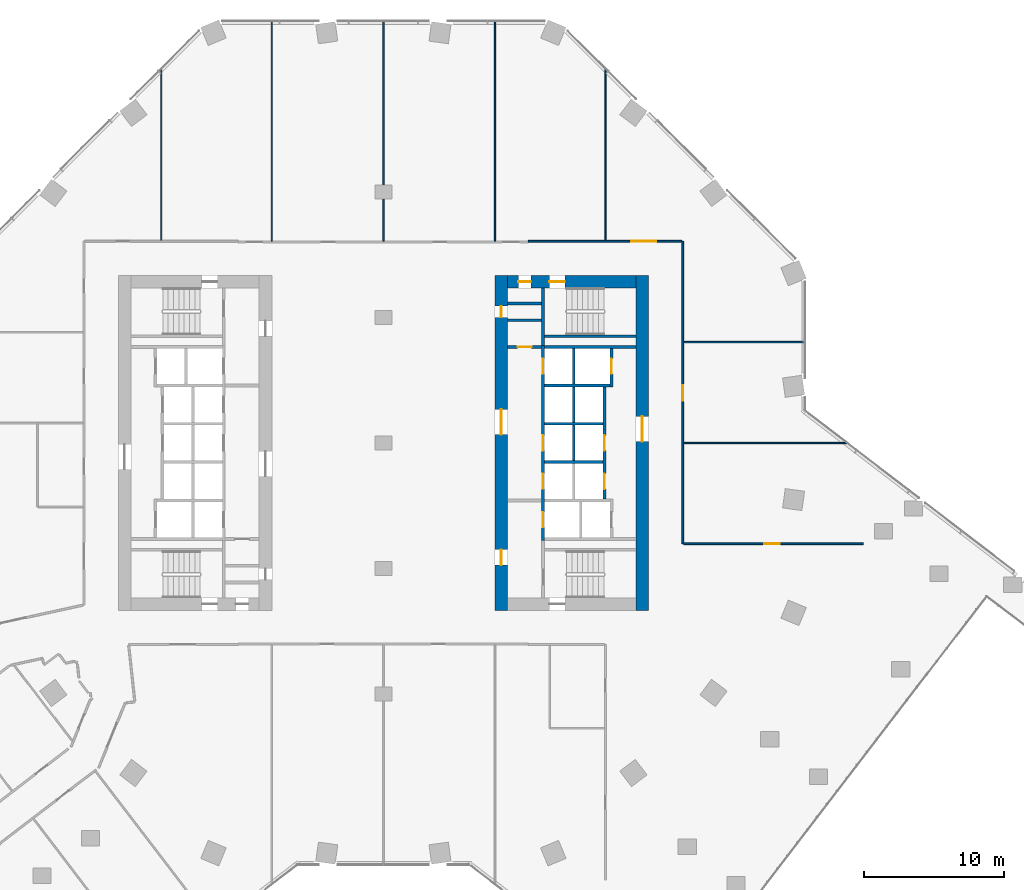
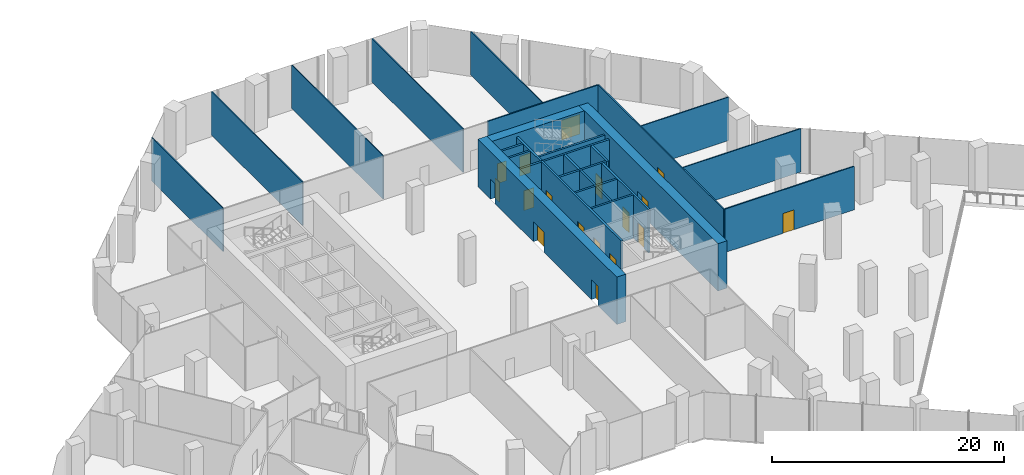
# One storey, part 25 of 29: 28 walls, 17 doors, 17 openings.
"""IFC4 building model written with IfcOpenShell, lengths in metres."""

import ifcopenshell
import ifcopenshell.guid

model = None  # the IFC model being written
_history = None  # IfcOwnerHistory: only IFC2X3 demands one
_inside = {}  # id of a spatial element -> (the spatial element, [elements in it])
_under = {}  # id of a project, library or spatial element -> (it, [spatial elements below it])
_declared = {}  # id of a project -> (the project, [libraries it declares])
_typed = {}  # id of a type object -> (the type object, [elements of that type])
_made_of = {}  # id of a material, layer set ... -> (it, [elements and type objects made of it])


def new_model(schema):
    """Start an empty IFC model of exactly this schema.

    Asked for "IFC4X3", IfcOpenShell would pick the latest addendum, in which some entities
    have other attributes; the version numbers below select the first issue.
    IFC2X3 requires an IfcOwnerHistory on every rooted entity: one is made here for all.
    """
    global model, _history
    if schema == "IFC4X3":
        model = ifcopenshell.file(schema_version=(4, 3, 0, 0))
    else:
        model = ifcopenshell.file(schema=schema)
    _inside.clear()
    _under.clear()
    _declared.clear()
    _typed.clear()
    _made_of.clear()
    _history = None
    if model.schema == "IFC2X3":
        org = make("IfcOrganization", Name="unknown")
        user = make(
            "IfcPersonAndOrganization",
            ThePerson=make("IfcPerson", FamilyName="unknown"),
            TheOrganization=org,
        )
        app = make(
            "IfcApplication",
            ApplicationDeveloper=org,
            Version="unknown",
            ApplicationFullName="unknown",
            ApplicationIdentifier="unknown",
        )
        _history = make(
            "IfcOwnerHistory",
            OwningUser=user,
            OwningApplication=app,
            ChangeAction="ADDED",
            CreationDate=0,
        )
    return model


def make(cls, **values):
    """One entity of the class cls with the attributes given. An attribute that is None is left unset."""
    return model.create_entity(
        cls, **{name: value for name, value in values.items() if value is not None}
    )


def rooted(cls, **values):
    """An entity with a GlobalId (a new one), such as an element, a storey or a relation."""
    return make(cls, GlobalId=ifcopenshell.guid.new(), OwnerHistory=_history, **values)


def si_unit(unit_type, name, prefix=None):
    """IfcSIUnit, for example si_unit("LENGTHUNIT", "METRE", prefix="MILLI")."""
    return make("IfcSIUnit", UnitType=unit_type, Prefix=prefix, Name=name)


def assignment(units):
    """IfcUnitAssignment: the units of a project."""
    return None if units is None else make("IfcUnitAssignment", Units=units)


def point(xyz):
    """IfcCartesianPoint."""
    return None if xyz is None else make("IfcCartesianPoint", Coordinates=xyz)


def direction(xyz):
    """IfcDirection."""
    return None if xyz is None else make("IfcDirection", DirectionRatios=xyz)


def frame(location, z_axis=None, x_axis=None):
    """IfcAxis2Placement3D, a coordinate frame: its origin and axes. An axis left out is left unset."""
    return make(
        "IfcAxis2Placement3D",
        Location=point(location),
        Axis=direction(z_axis),
        RefDirection=direction(x_axis),
    )


def frame_2d(location, x_axis=None):
    """IfcAxis2Placement2D, a coordinate frame in the plane: its origin and x axis."""
    return make(
        "IfcAxis2Placement2D", Location=point(location), RefDirection=direction(x_axis)
    )


def origin():
    """The frame at (0, 0, 0) with its axes left unset."""
    return frame((0.0, 0.0, 0.0))


def place(relative_to, where):
    """IfcLocalPlacement: puts the frame where relative to a parent placement (None: the world)."""
    return make(
        "IfcLocalPlacement", PlacementRelTo=relative_to, RelativePlacement=where
    )


def context(
    kind, dimensions, precision=None, world=None, true_north=None, identifier=None
):
    """IfcGeometricRepresentationContext, for example the 3D "Model" context."""
    return make(
        "IfcGeometricRepresentationContext",
        ContextIdentifier=identifier,
        ContextType=kind,
        CoordinateSpaceDimension=dimensions,
        Precision=precision,
        WorldCoordinateSystem=world,
        TrueNorth=true_north,
    )


def subcontext(parent, identifier, kind, view, scale=None):
    """IfcGeometricRepresentationSubContext, for example "Body" below "Model"."""
    return make(
        "IfcGeometricRepresentationSubContext",
        ContextIdentifier=identifier,
        ContextType=kind,
        ParentContext=parent,
        TargetScale=scale,
        TargetView=view,
    )


def project(units=None, contexts=None):
    """IfcProject with its units and contexts."""
    return rooted(
        "IfcProject",
        Name="project",
        RepresentationContexts=contexts,
        UnitsInContext=assignment(units),
    )


def spatial(cls, under=None, at=None, **own):
    """A site, building, storey or space (cls), placed at a placement, below another one or the project."""
    s = rooted(cls, ObjectPlacement=at, **own)
    if under is not None:
        _under.setdefault(under.id(), (under, []))[1].append(s)
    return s


def profile(cls, at=None, kind="AREA", **sizes):
    """A parametric profile (cls). Its sizes go by their IFC names, for example OverallWidth=200.0."""
    return make(cls, ProfileType=kind, Position=at, **sizes)


def rectangle(**sizes):
    """IfcRectangleProfileDef."""
    return profile("IfcRectangleProfileDef", **sizes)


def extrude(swept, where, along, depth):
    """IfcExtrudedAreaSolid: the profile swept, set in the frame where, extruded along a direction by depth."""
    return make(
        "IfcExtrudedAreaSolid",
        SweptArea=swept,
        Position=where,
        ExtrudedDirection=direction(along),
        Depth=depth,
    )


def shape(context_of_items, identifier, shape_type, items):
    """IfcShapeRepresentation: the items that make up one representation, for example the "Body"."""
    return make(
        "IfcShapeRepresentation",
        ContextOfItems=context_of_items,
        RepresentationIdentifier=identifier,
        RepresentationType=shape_type,
        Items=items,
    )


def material(Name=None, Category=None):
    """IfcMaterial."""
    return make("IfcMaterial", Name=Name, Category=Category)


def layer(
    of_material, thickness, ventilated=None, Name=None, Category=None, Priority=None
):
    """IfcMaterialLayer: one layer of a wall or slab, of a material (None: an air gap)."""
    return make(
        "IfcMaterialLayer",
        Material=of_material,
        LayerThickness=thickness,
        IsVentilated=ventilated,
        Name=Name,
        Category=Category,
        Priority=Priority,
    )


def layer_set(layers, Name=None):
    """IfcMaterialLayerSet."""
    return make("IfcMaterialLayerSet", MaterialLayers=layers, LayerSetName=Name)


def made_of(thing, what):
    """Note that an element or type object is made of a material, layer set ...; save() writes the relation."""
    if what is not None:
        _made_of.setdefault(what.id(), (what, []))[1].append(thing)
    return thing


def type_object(cls, material=None, **own):
    """A type object (cls), such as IfcWallType, which elements share."""
    return made_of(rooted(cls, **own), material)


def element(
    cls,
    number,
    at=None,
    inside=None,
    cuts=None,
    type_object=None,
    material=None,
    context=None,
    identifier="Body",
    shape_type=None,
    held_by="IfcProductDefinitionShape",
    body=None,
    shapes=None,
    **own,
):
    """One element of the class cls, such as IfcWall. Its Tag is "e" and its number.

    at: its placement. inside: the storey or other place that contains it. cuts: it is an
    opening in that element (IfcRelVoidsElement). A single representation is given by context,
    identifier, shape_type and body (its items); several are given by shapes. held_by: the class
    of the entity that holds the representations. save() writes the other relations.
    """
    e = rooted(cls, Tag="e%d" % number, ObjectPlacement=at, **own)
    if body is not None:
        shapes = [shape(context, identifier, shape_type, body)]
    if shapes is not None:
        e.Representation = make(held_by, Representations=shapes)
    if inside is not None:
        _inside.setdefault(inside.id(), (inside, []))[1].append(e)
    if cuts is not None:
        rooted(
            "IfcRelVoidsElement", RelatingBuildingElement=cuts, RelatedOpeningElement=e
        )
    if type_object is not None:
        _typed.setdefault(type_object.id(), (type_object, []))[1].append(e)
    return made_of(e, material)


def fill(opening, filler):
    """IfcRelFillsElement: the door or window that sits in an opening."""
    return rooted(
        "IfcRelFillsElement",
        RelatingOpeningElement=opening,
        RelatedBuildingElement=filler,
    )


def aggregate(whole, parts):
    """IfcRelAggregates: a whole, such as a stair, and the parts it consists of."""
    return rooted("IfcRelAggregates", RelatingObject=whole, RelatedObjects=parts)


def save(model, path):
    """Write the relations noted so far, then the file.

    IfcRelAggregates (storeys below a building ...), IfcRelContainedInSpatialStructure (elements
    in a storey), IfcRelDefinesByType, IfcRelAssociatesMaterial and IfcRelDeclares: one each for
    every whole, place, type object, material and project.
    """
    for whole, parts in _under.values():
        aggregate(whole, parts)
    for where, things in _inside.values():
        rooted(
            "IfcRelContainedInSpatialStructure",
            RelatedElements=things,
            RelatingStructure=where,
        )
    for kind, things in _typed.values():
        rooted("IfcRelDefinesByType", RelatedObjects=things, RelatingType=kind)
    for what, things in _made_of.values():
        rooted("IfcRelAssociatesMaterial", RelatedObjects=things, RelatingMaterial=what)
    for by, libraries in _declared.values():
        rooted("IfcRelDeclares", RelatingContext=by, RelatedDefinitions=libraries)
    model.write(path)


model = new_model("IFC4")

# Units and contexts
model_context = context("Model", 3, precision=1e-05, world=origin(), true_north=direction((0.0, 1.0)))
body_context = subcontext(model_context, "Body", "Model", "MODEL_VIEW")
ifc_project = project(units=[si_unit("LENGTHUNIT", "METRE"), si_unit("AREAUNIT", "SQUARE_METRE"), si_unit("VOLUMEUNIT", "CUBIC_METRE"), si_unit("PLANEANGLEUNIT", "RADIAN"), si_unit("MASSUNIT", "GRAM", prefix="KILO")], contexts=[model_context])

# Site, building, storey
site_placement = place(None, origin())
site = spatial("IfcSite", under=ifc_project, at=site_placement, CompositionType="ELEMENT")
building_placement = place(site_placement, origin())
building = spatial("IfcBuilding", under=site, at=building_placement, Name="Orlundy Tower", CompositionType="ELEMENT")
storey_placement = place(building_placement, frame((0.0, 0.0, 15.5)))
storey = spatial("IfcBuildingStorey", under=building, at=storey_placement, Name="L02", CompositionType="ELEMENT", Elevation=15.5)

# Wall, openings, doors
ifc_material_1 = material(Name="Concrete C80/95", Category="concrete")
ifc_layer_1 = layer(ifc_material_1, 0.89990234375)
ifc_layer_set_1 = layer_set([ifc_layer_1], Name="CORE WALL 900 C80/95")
wall_type_1 = type_object("IfcWallType", Name="CORE WALL 900 C80/95", PredefinedType="SHEAR", material=ifc_layer_set_1)
wall_1_placement = place(storey_placement, frame((8.89990234375, 11.550048828125, 0.0), z_axis=(0.0, 0.0, 1.0), x_axis=(1.0, 0.0, 0.0)))
wall_1 = element("IfcWall", 1, at=wall_1_placement, inside=storey, type_object=wall_type_1, Name="Core wall E-N L02", PredefinedType="SHEAR", context=body_context, shape_type="SweptSolid", body=[
    extrude(rectangle(XDim=9.2001953125, YDim=0.89990234375, at=frame_2d((4.60009765625, 0.0))), origin(), (0.0, 0.0, 1.0), 5.0),
])
opening_1_placement = place(wall_1_placement, frame((3.0, 0.0, 0.0)))
opening_1 = element("IfcOpeningElement", 2, at=opening_1_placement, cuts=wall_1, Name="Opening 03062", PredefinedType="OPENING", context=body_context, shape_type="SweptSolid", body=[
    extrude(rectangle(XDim=1.10009765625, YDim=2.10009765625, at=frame_2d((0.550048828125, 1.050048828125))), frame((0.0, 0.4599609375, 0.0), z_axis=(0.0, -1.0, 0.0), x_axis=(1.0, 0.0, 0.0)), (0.0, 0.0, 1.0), 0.919921875),
])
opening_2_placement = place(wall_1_placement, frame((0.77001953125, 0.0, 0.0)))
opening_2 = element("IfcOpeningElement", 3, at=opening_2_placement, cuts=wall_1, Name="Opening 03064", PredefinedType="OPENING", context=body_context, shape_type="SweptSolid", body=[
    extrude(rectangle(XDim=0.89990234375, YDim=2.10009765625, at=frame_2d((0.449951171875, 1.050048828125))), frame((0.0, 0.4599609375, 0.0), z_axis=(0.0, -1.0, 0.0), x_axis=(1.0, 0.0, 0.0)), (0.0, 0.0, 1.0), 0.919921875),
])
ifc_material_2 = material(Name="Timber door set", Category="wood")
door_type_1 = type_object("IfcDoorType", Name="Room Door 900x2100", OperationType="SINGLE_SWING_LEFT", PredefinedType="DOOR", material=ifc_material_2)
door_1_placement = place(opening_2_placement, origin())
door_1 = element("IfcDoor", 4, at=door_1_placement, inside=storey, type_object=door_type_1, Name="Store door 03064", OperationType="SINGLE_SWING_LEFT", OverallHeight=2.10009765625, OverallWidth=0.89990234375, PredefinedType="DOOR", context=body_context, shape_type="SweptSolid", body=[
    extrude(rectangle(XDim=0.89990234375, YDim=2.10009765625, at=frame_2d((0.449951171875, 1.050048828125))), frame((0.0, 0.02490234375, 0.0), z_axis=(0.0, -1.0, 0.0), x_axis=(1.0, 0.0, 0.0)), (0.0, 0.0, 1.0), 0.050048828125),
])
fill(opening_2, door_1)
ifc_material_3 = material(Name="Steel door set", Category="steel")
door_type_2 = type_object("IfcDoorType", Name="Stair Door 1100x2100", OperationType="SINGLE_SWING_LEFT", PredefinedType="DOOR", material=ifc_material_3)
door_2_placement = place(opening_1_placement, origin())
door_2 = element("IfcDoor", 5, at=door_2_placement, inside=storey, type_object=door_type_2, Name="Stair door 03062", OperationType="SINGLE_SWING_LEFT", OverallHeight=2.10009765625, OverallWidth=1.10009765625, PredefinedType="DOOR", context=body_context, shape_type="SweptSolid", body=[
    extrude(rectangle(XDim=1.10009765625, YDim=2.10009765625, at=frame_2d((0.550048828125, 1.050048828125))), frame((0.0, 0.02490234375, 0.0), z_axis=(0.0, -1.0, 0.0), x_axis=(1.0, 0.0, 0.0)), (0.0, 0.0, 1.0), 0.050048828125),
])
fill(opening_1, door_2)

wall_2_placement = place(storey_placement, frame((8.449951171875, -12.0, 0.0), z_axis=(0.0, 0.0, 1.0), x_axis=(0.0, 1.0, 0.0)))
wall_2 = element("IfcWall", 6, at=wall_2_placement, inside=storey, type_object=wall_type_1, Name="Core wall E-W L02", PredefinedType="SHEAR", context=body_context, shape_type="SweptSolid", body=[
    extrude(rectangle(XDim=24.0, YDim=0.89990234375, at=frame_2d((12.0, 0.0))), origin(), (0.0, 0.0, 1.0), 5.0),
])
opening_3_placement = place(wall_2_placement, frame((12.60009765625, 0.0, 0.0)))
opening_3 = element("IfcOpeningElement", 7, at=opening_3_placement, cuts=wall_2, Name="Opening 03058", PredefinedType="OPENING", context=body_context, shape_type="SweptSolid", body=[
    extrude(rectangle(XDim=1.800048828125, YDim=2.10009765625, at=frame_2d((0.89990234375, 1.050048828125))), frame((0.0, 0.4599609375, 0.0), z_axis=(0.0, -1.0, 0.0), x_axis=(1.0, 0.0, 0.0)), (0.0, 0.0, 1.0), 0.919921875),
])
opening_4_placement = place(wall_2_placement, frame((3.25, 0.0, 0.0)))
opening_4 = element("IfcOpeningElement", 8, at=opening_4_placement, cuts=wall_2, Name="Opening 03060", PredefinedType="OPENING", context=body_context, shape_type="SweptSolid", body=[
    extrude(rectangle(XDim=1.10009765625, YDim=2.10009765625, at=frame_2d((0.550048828125, 1.050048828125))), frame((0.0, 0.4599609375, 0.0), z_axis=(0.0, -1.0, 0.0), x_axis=(1.0, 0.0, 0.0)), (0.0, 0.0, 1.0), 0.919921875),
])
opening_5_placement = place(wall_2_placement, frame((21.0, 0.0, 0.0)))
opening_5 = element("IfcOpeningElement", 9, at=opening_5_placement, cuts=wall_2, Name="Opening 03065", PredefinedType="OPENING", context=body_context, shape_type="SweptSolid", body=[
    extrude(rectangle(XDim=0.800048828125, YDim=2.10009765625, at=frame_2d((0.39990234375, 1.050048828125))), frame((0.0, 0.4599609375, 0.0), z_axis=(0.0, -1.0, 0.0), x_axis=(1.0, 0.0, 0.0)), (0.0, 0.0, 1.0), 0.919921875),
])
ifc_material_4 = material(Name="Steel door set", Category="steel")
door_type_3 = type_object("IfcDoorType", Name="Fire-fighting Lobby Door 1100x2100", OperationType="SINGLE_SWING_LEFT", PredefinedType="DOOR", material=ifc_material_4)
door_3_placement = place(opening_4_placement, origin())
door_3 = element("IfcDoor", 10, at=door_3_placement, inside=storey, type_object=door_type_3, Name="Fire-fighting lobby door 03060", OperationType="SINGLE_SWING_LEFT", OverallHeight=2.10009765625, OverallWidth=1.10009765625, PredefinedType="DOOR", context=body_context, shape_type="SweptSolid", body=[
    extrude(rectangle(XDim=1.10009765625, YDim=2.10009765625, at=frame_2d((0.550048828125, 1.050048828125))), frame((0.0, 0.02490234375, 0.0), z_axis=(0.0, -1.0, 0.0), x_axis=(1.0, 0.0, 0.0)), (0.0, 0.0, 1.0), 0.050048828125),
])
fill(opening_4, door_3)
ifc_material_5 = material(Name="Timber door set", Category="wood")
door_type_4 = type_object("IfcDoorType", Name="Lobby Door 1800x2100", OperationType="DOUBLE_DOOR_DOUBLE_SWING", PredefinedType="DOOR", material=ifc_material_5)
door_4_placement = place(opening_3_placement, origin())
door_4 = element("IfcDoor", 11, at=door_4_placement, inside=storey, type_object=door_type_4, Name="Lift lobby door 03058", OperationType="SINGLE_SWING_RIGHT", OverallHeight=2.10009765625, OverallWidth=1.800048828125, PredefinedType="DOOR", context=body_context, shape_type="SweptSolid", body=[
    extrude(rectangle(XDim=1.800048828125, YDim=2.10009765625, at=frame_2d((0.89990234375, 1.050048828125))), frame((0.0, 0.02490234375, 0.0), z_axis=(0.0, -1.0, 0.0), x_axis=(1.0, 0.0, 0.0)), (0.0, 0.0, 1.0), 0.050048828125),
])
fill(opening_3, door_4)
ifc_material_6 = material(Name="Timber door set", Category="wood")
door_type_5 = type_object("IfcDoorType", Name="Riser Door 800x2100", OperationType="SINGLE_SWING_LEFT", PredefinedType="DOOR", material=ifc_material_6)
door_5_placement = place(opening_5_placement, origin())
door_5 = element("IfcDoor", 12, at=door_5_placement, inside=storey, type_object=door_type_5, Name="Door 03065", OperationType="SINGLE_SWING_RIGHT", OverallHeight=2.10009765625, OverallWidth=0.800048828125, PredefinedType="DOOR", context=body_context, shape_type="SweptSolid", body=[
    extrude(rectangle(XDim=0.800048828125, YDim=2.10009765625, at=frame_2d((0.39990234375, 1.050048828125))), frame((0.0, 0.02490234375, 0.0), z_axis=(0.0, -1.0, 0.0), x_axis=(1.0, 0.0, 0.0)), (0.0, 0.0, 1.0), 0.050048828125),
])
fill(opening_5, door_5)

# Wall, opening, door
wall_3_placement = place(storey_placement, frame((18.550048828125, -12.0, 0.0), z_axis=(0.0, 0.0, 1.0), x_axis=(0.0, 1.0, 0.0)))
wall_3 = element("IfcWall", 13, at=wall_3_placement, inside=storey, type_object=wall_type_1, Name="Core wall E-E L02", PredefinedType="SHEAR", context=body_context, shape_type="SweptSolid", body=[
    extrude(rectangle(XDim=24.0, YDim=0.89990234375, at=frame_2d((12.0, 0.0))), origin(), (0.0, 0.0, 1.0), 5.0),
])
opening_6_placement = place(wall_3_placement, frame((12.10009765625, 0.0, 0.0)))
opening_6 = element("IfcOpeningElement", 14, at=opening_6_placement, cuts=wall_3, Name="Opening 03059", PredefinedType="OPENING", context=body_context, shape_type="SweptSolid", body=[
    extrude(rectangle(XDim=1.800048828125, YDim=2.10009765625, at=frame_2d((0.89990234375, 1.050048828125))), frame((0.0, 0.4599609375, 0.0), z_axis=(0.0, -1.0, 0.0), x_axis=(1.0, 0.0, 0.0)), (0.0, 0.0, 1.0), 0.919921875),
])
door_6_placement = place(opening_6_placement, origin())
door_6 = element("IfcDoor", 15, at=door_6_placement, inside=storey, type_object=door_type_4, Name="Lift lobby door 03059", OperationType="SINGLE_SWING_RIGHT", OverallHeight=2.10009765625, OverallWidth=1.800048828125, PredefinedType="DOOR", context=body_context, shape_type="SweptSolid", body=[
    extrude(rectangle(XDim=1.800048828125, YDim=2.10009765625, at=frame_2d((0.89990234375, 1.050048828125))), frame((0.0, 0.02490234375, 0.0), z_axis=(0.0, -1.0, 0.0), x_axis=(1.0, 0.0, 0.0)), (0.0, 0.0, 1.0), 0.050048828125),
])
fill(opening_6, door_6)

# Walls
ifc_material_7 = material(Name="Gypsum board partition")
ifc_layer_2 = layer(ifc_material_7, 0.10009765625)
ifc_layer_set_2 = layer_set([ifc_layer_2], Name="Floor partition 100")
wall_type_2 = type_object("IfcWallType", Name="Floor partition 100", PredefinedType="PARTITIONING", material=ifc_layer_set_2)
wall_4_placement = place(storey_placement, frame((21.511962890625, 0.0, 0.0), z_axis=(0.0, 0.0, 1.0), x_axis=(1.0, 0.0, 0.0)))
element("IfcWall", 16, at=wall_4_placement, inside=storey, type_object=wall_type_2, Name="wall-int-L02-027", PredefinedType="PARTITIONING", context=body_context, shape_type="SweptSolid", body=[
    extrude(rectangle(XDim=11.751953125, YDim=0.10009765625, at=frame_2d((5.8759765625, 0.0))), origin(), (0.0, 0.0, 1.0), 4.580078125),
])
wall_5_placement = place(storey_placement, frame((21.511962890625, 7.22412109375, 0.0), z_axis=(0.0, 0.0, 1.0), x_axis=(1.0, 0.0, 0.0)))
element("IfcWall", 17, at=wall_5_placement, inside=storey, type_object=wall_type_2, Name="wall-int-L02-029", PredefinedType="PARTITIONING", context=body_context, shape_type="SweptSolid", body=[
    extrude(rectangle(XDim=8.738037109375, YDim=0.10009765625, at=frame_2d((4.369140625, 0.0))), origin(), (0.0, 0.0, 1.0), 4.580078125),
])
wall_6_placement = place(storey_placement, frame((15.9208984375, 14.513916015625, 0.0), z_axis=(0.0, 0.0, 1.0), x_axis=(0.0, 1.0, 0.0)))
element("IfcWall", 18, at=wall_6_placement, inside=storey, type_object=wall_type_2, Name="wall-int-L02-052", PredefinedType="PARTITIONING", context=body_context, shape_type="SweptSolid", body=[
    extrude(rectangle(XDim=12.344970703125, YDim=0.10009765625, at=frame_2d((6.17236328125, 0.0))), origin(), (0.0, 0.0, 1.0), 4.580078125),
])
for number, where, z_axis, x_axis, name in (
    (19, (8.0, 14.462890625, 0.0), (0.0, 0.0, 1.0), (0.0, 1.0, 0.0), "wall-int-L02-055"),
    (20, (0.0, 14.462890625, 0.0), (0.0, 0.0, 1.0), (0.0, 1.0, 0.0), "wall-int-L02-057"),
    (21, (-8.0, 14.462890625, 0.0), (0.0, 0.0, 1.0), (0.0, 1.0, 0.0), "wall-int-L02-059"),
):
    element("IfcWall", number, at=place(storey_placement, frame(where, z_axis=z_axis, x_axis=x_axis)), inside=storey, type_object=wall_type_2, Name=name, PredefinedType="PARTITIONING", context=body_context, shape_type="SweptSolid", body=[
        extrude(rectangle(XDim=15.787109375, YDim=0.10009765625, at=frame_2d((7.8935546875, 0.0))), origin(), (0.0, 0.0, 1.0), 4.580078125),
    ])
wall_7_placement = place(storey_placement, frame((-15.919921875, 14.513916015625, 0.0), z_axis=(0.0, 0.0, 1.0), x_axis=(0.0, 1.0, 0.0)))
element("IfcWall", 22, at=wall_7_placement, inside=storey, type_object=wall_type_2, Name="wall-int-L02-060", PredefinedType="PARTITIONING", context=body_context, shape_type="SweptSolid", body=[
    extrude(rectangle(XDim=12.34619140625, YDim=0.10009765625, at=frame_2d((6.173095703125, 0.0))), origin(), (0.0, 0.0, 1.0), 4.580078125),
])

# Wall, opening, door
ifc_material_8 = material(Name="Gypsum board partition, double layer")
ifc_layer_3 = layer(ifc_material_8, 0.125)
ifc_layer_set_3 = layer_set([ifc_layer_3], Name="Floor partition 125")
wall_type_3 = type_object("IfcWallType", Name="Floor partition 125", PredefinedType="PARTITIONING", material=ifc_layer_set_3)
wall_8_placement = place(storey_placement, frame((21.511962890625, -7.22412109375, 0.0), z_axis=(0.0, 0.0, 1.0), x_axis=(1.0, 0.0, 0.0)))
wall_8 = element("IfcWall", 23, at=wall_8_placement, inside=storey, type_object=wall_type_3, Name="wall-int-L02-025", PredefinedType="PARTITIONING", context=body_context, shape_type="SweptSolid", body=[
    extrude(rectangle(XDim=12.89404296875, YDim=0.125, at=frame_2d((6.447021484375, 0.0))), origin(), (0.0, 0.0, 1.0), 4.580078125),
])
opening_7_placement = place(wall_8_placement, frame((5.78759765625, 0.0, 0.0)))
opening_7 = element("IfcOpeningElement", 24, at=opening_7_placement, cuts=wall_8, Name="Opening 03118", PredefinedType="OPENING", context=body_context, shape_type="SweptSolid", body=[
    extrude(rectangle(XDim=1.10009765625, YDim=2.10009765625, at=frame_2d((0.550048828125, 1.050048828125))), frame((0.0, 0.072509765625, 0.0), z_axis=(0.0, -1.0, 0.0), x_axis=(1.0, 0.0, 0.0)), (0.0, 0.0, 1.0), 0.14501953125),
])
ifc_material_9 = material(Name="Timber door leaf", Category="wood")
door_type_6 = type_object("IfcDoorType", Name="Floor door xwide 1100 FD30S", OperationType="NOTDEFINED", PredefinedType="DOOR", material=ifc_material_9)
door_7_placement = place(opening_7_placement, origin())
door_7 = element("IfcDoor", 25, at=door_7_placement, inside=storey, type_object=door_type_6, Name="Door 03118", OperationType="SINGLE_SWING_LEFT", OverallHeight=2.10009765625, OverallWidth=1.10009765625, PredefinedType="DOOR", context=body_context, shape_type="SweptSolid", body=[
    extrude(rectangle(XDim=1.10009765625, YDim=2.10009765625, at=frame_2d((0.550048828125, 1.050048828125))), frame((0.0, 0.02490234375, 0.0), z_axis=(0.0, -1.0, 0.0), x_axis=(1.0, 0.0, 0.0)), (0.0, 0.0, 1.0), 0.050048828125),
])
fill(opening_7, door_7)

wall_9_placement = place(storey_placement, frame((10.39111328125, 14.450927734375, 0.0), z_axis=(0.0, 0.0, 1.0), x_axis=(1.0, 0.0, 0.0)))
wall_9 = element("IfcWall", 26, at=wall_9_placement, inside=storey, type_object=wall_type_3, Name="wall-int-L02-033", PredefinedType="PARTITIONING", context=body_context, shape_type="SweptSolid", body=[
    extrude(rectangle(XDim=10.995849609375, YDim=0.125, at=frame_2d((5.498046875, 0.0))), origin(), (0.0, 0.0, 1.0), 4.580078125),
])
opening_8_placement = place(wall_9_placement, frame((7.3798828125, 0.0, 0.0)))
opening_8 = element("IfcOpeningElement", 27, at=opening_8_placement, cuts=wall_9, Name="Opening 03120", PredefinedType="OPENING", context=body_context, shape_type="SweptSolid", body=[
    extrude(rectangle(XDim=1.800048828125, YDim=2.10009765625, at=frame_2d((0.89990234375, 1.050048828125))), frame((0.0, 0.072509765625, 0.0), z_axis=(0.0, -1.0, 0.0), x_axis=(1.0, 0.0, 0.0)), (0.0, 0.0, 1.0), 0.14501953125),
])
ifc_material_10 = material(Name="Timber door leaf", Category="wood")
door_type_7 = type_object("IfcDoorType", Name="Floor door double 1800 FD30S", OperationType="NOTDEFINED", PredefinedType="DOOR", material=ifc_material_10)
door_8_placement = place(opening_8_placement, origin())
door_8 = element("IfcDoor", 28, at=door_8_placement, inside=storey, type_object=door_type_7, Name="Door 03120", OperationType="DOUBLE_DOOR_SINGLE_SWING", OverallHeight=2.10009765625, OverallWidth=1.800048828125, PredefinedType="DOOR", context=body_context, shape_type="SweptSolid", body=[
    extrude(rectangle(XDim=1.800048828125, YDim=2.10009765625, at=frame_2d((0.89990234375, 1.050048828125))), frame((0.0, 0.02490234375, 0.0), z_axis=(0.0, -1.0, 0.0), x_axis=(1.0, 0.0, 0.0)), (0.0, 0.0, 1.0), 0.050048828125),
])
fill(opening_8, door_8)

wall_10_placement = place(storey_placement, frame((21.449951171875, 14.450927734375, 0.0), z_axis=(0.0, 0.0, 1.0), x_axis=(0.0, -1.0, 0.0)))
wall_10 = element("IfcWall", 29, at=wall_10_placement, inside=storey, type_object=wall_type_3, Name="wall-int-L02-050", PredefinedType="PARTITIONING", context=body_context, shape_type="SweptSolid", body=[
    extrude(rectangle(XDim=21.675048828125, YDim=0.125, at=frame_2d((10.83740234375, 0.0))), origin(), (0.0, 0.0, 1.0), 4.580078125),
])
opening_9_placement = place(wall_10_placement, frame((10.326904296875, 0.0, 0.0)))
opening_9 = element("IfcOpeningElement", 30, at=opening_9_placement, cuts=wall_10, Name="Opening 03119", PredefinedType="OPENING", context=body_context, shape_type="SweptSolid", body=[
    extrude(rectangle(XDim=1.10009765625, YDim=2.10009765625, at=frame_2d((0.550048828125, 1.050048828125))), frame((0.0, 0.072509765625, 0.0), z_axis=(0.0, -1.0, 0.0), x_axis=(1.0, 0.0, 0.0)), (0.0, 0.0, 1.0), 0.14501953125),
])
door_9_placement = place(opening_9_placement, origin())
door_9 = element("IfcDoor", 31, at=door_9_placement, inside=storey, type_object=door_type_6, Name="Door 03119", OperationType="SINGLE_SWING_RIGHT", OverallHeight=2.10009765625, OverallWidth=1.10009765625, PredefinedType="DOOR", context=body_context, shape_type="SweptSolid", body=[
    extrude(rectangle(XDim=1.10009765625, YDim=2.10009765625, at=frame_2d((0.550048828125, 1.050048828125))), frame((0.0, 0.02490234375, 0.0), z_axis=(0.0, -1.0, 0.0), x_axis=(1.0, 0.0, 0.0)), (0.0, 0.0, 1.0), 0.050048828125),
])
fill(opening_9, door_9)

# Walls
ifc_material_11 = material(Name="Concrete C40/50", Category="concrete")
ifc_layer_4 = layer(ifc_material_11, 0.199951171875)
ifc_layer_set_4 = layer_set([ifc_layer_4], Name="Load-bearing Shaft Wall 200")
wall_type_4 = type_object("IfcWallType", Name="Load-bearing Shaft Wall 200", PredefinedType="SOLIDWALL", material=ifc_layer_set_4)
wall_11_placement = place(storey_placement, frame((11.43994140625, 11.10009765625, 0.0), z_axis=(0.0, 0.0, 1.0), x_axis=(0.0, -1.0, 0.0)))
element("IfcWall", 32, at=wall_11_placement, inside=storey, type_object=wall_type_4, Name="Shaft wall E03-stair-end-s", PredefinedType="SOLIDWALL", context=body_context, shape_type="SweptSolid", body=[
    extrude(rectangle(XDim=4.125, YDim=0.199951171875, at=frame_2d((2.0625, 0.0))), origin(), (0.0, 0.0, 1.0), 4.590087890625),
])
wall_12_placement = place(storey_placement, frame((11.5400390625, 7.64990234375, 0.0), z_axis=(0.0, 0.0, 1.0), x_axis=(1.0, 0.0, 0.0)))
element("IfcWall", 33, at=wall_12_placement, inside=storey, type_object=wall_type_4, Name="Shaft wall E03-stair-side-s", PredefinedType="SOLIDWALL", context=body_context, shape_type="SweptSolid", body=[
    extrude(rectangle(XDim=6.56005859375, YDim=0.199951171875, at=frame_2d((3.280029296875, 0.0))), origin(), (0.0, 0.0, 1.0), 4.590087890625),
])

# Wall, opening, door
ifc_material_12 = material(Name="Gypsum board partition on steel studs", Category="steel")
ifc_layer_5 = layer(ifc_material_12, 0.199951171875)
ifc_layer_set_5 = layer_set([ifc_layer_5], Name="Partition 200")
wall_type_5 = type_object("IfcWallType", Name="Partition 200", PredefinedType="PARTITIONING", material=ifc_layer_set_5)
wall_13_placement = place(storey_placement, frame((8.89990234375, 6.875, 0.0), z_axis=(0.0, 0.0, 1.0), x_axis=(1.0, 0.0, 0.0)))
wall_13 = element("IfcWall", 34, at=wall_13_placement, inside=storey, type_object=wall_type_5, Name="Partition wall E03-end-s", PredefinedType="PARTITIONING", context=body_context, shape_type="SweptSolid", body=[
    extrude(rectangle(XDim=2.440185546875, YDim=0.199951171875, at=frame_2d((1.22021484375, 0.0))), origin(), (0.0, 0.0, 1.0), 4.590087890625),
])
opening_10_placement = place(wall_13_placement, frame((0.719970703125, 0.0, 0.0)))
opening_10 = element("IfcOpeningElement", 35, at=opening_10_placement, cuts=wall_13, Name="Opening 03066", PredefinedType="OPENING", context=body_context, shape_type="SweptSolid", body=[
    extrude(rectangle(XDim=1.0, YDim=2.10009765625, at=frame_2d((0.5, 1.050048828125))), frame((0.0, 0.110107421875, 0.0), z_axis=(0.0, -1.0, 0.0), x_axis=(1.0, 0.0, 0.0)), (0.0, 0.0, 1.0), 0.22021484375),
])
ifc_material_13 = material(Name="Timber door set", Category="wood")
door_type_8 = type_object("IfcDoorType", Name="Accessible Door 1000x2100", OperationType="SINGLE_SWING_LEFT", PredefinedType="DOOR", material=ifc_material_13)
door_10_placement = place(opening_10_placement, origin())
door_10 = element("IfcDoor", 36, at=door_10_placement, inside=storey, type_object=door_type_8, Name="Accessible WC door 03066", OperationType="SINGLE_SWING_RIGHT", OverallHeight=2.10009765625, OverallWidth=1.0, PredefinedType="DOOR", context=body_context, shape_type="SweptSolid", body=[
    extrude(rectangle(XDim=1.0, YDim=2.10009765625, at=frame_2d((0.5, 1.050048828125))), frame((0.0, 0.02490234375, 0.0), z_axis=(0.0, -1.0, 0.0), x_axis=(1.0, 0.0, 0.0)), (0.0, 0.0, 1.0), 0.050048828125),
])
fill(opening_10, door_10)

# Walls
for number, where, z_axis, x_axis, name in (
    (37, (8.89990234375, 10.0, 0.0), (0.0, 0.0, 1.0), (1.0, 0.0, 0.0), "Partition wall E03-room-s0"),
    (38, (8.89990234375, 8.800048828125, 0.0), (0.0, 0.0, 1.0), (1.0, 0.0, 0.0), "Partition wall E03-room-s1"),
):
    element("IfcWall", number, at=place(storey_placement, frame(where, z_axis=z_axis, x_axis=x_axis)), inside=storey, type_object=wall_type_5, Name=name, PredefinedType="PARTITIONING", context=body_context, shape_type="SweptSolid", body=[
        extrude(rectangle(XDim=2.440185546875, YDim=0.199951171875, at=frame_2d((1.22021484375, 0.0))), origin(), (0.0, 0.0, 1.0), 4.590087890625),
    ])
ifc_material_14 = material(Name="Fire-rated blockwork shaft wall", Category="masonry")
ifc_layer_6 = layer(ifc_material_14, 0.199951171875)
ifc_layer_set_6 = layer_set([ifc_layer_6], Name="Shaft Wall 200")
wall_type_6 = type_object("IfcWallType", Name="Shaft Wall 200", PredefinedType="SOLIDWALL", material=ifc_layer_set_6)
wall_14_placement = place(storey_placement, frame((11.5400390625, 6.875, 0.0), z_axis=(0.0, 0.0, 1.0), x_axis=(1.0, 0.0, 0.0)))
element("IfcWall", 39, at=wall_14_placement, inside=storey, type_object=wall_type_6, Name="Shaft wall E03-zone-s", PredefinedType="SOLIDWALL", context=body_context, shape_type="SweptSolid", body=[
    extrude(rectangle(XDim=6.56005859375, YDim=0.199951171875, at=frame_2d((3.280029296875, 0.0))), origin(), (0.0, 0.0, 1.0), 4.590087890625),
])
wall_15_placement = place(storey_placement, frame((11.5400390625, 4.125, 0.0), z_axis=(0.0, 0.0, 1.0), x_axis=(1.0, 0.0, 0.0)))
element("IfcWall", 40, at=wall_15_placement, inside=storey, type_object=wall_type_6, Name="Shaft wall E03-cross-4.125", PredefinedType="SOLIDWALL", context=body_context, shape_type="SweptSolid", body=[
    extrude(rectangle(XDim=4.699951171875, YDim=0.199951171875, at=frame_2d((2.35009765625, 0.0))), origin(), (0.0, 0.0, 1.0), 4.590087890625),
])
for number, where, z_axis, x_axis, name in (
    (41, (11.5400390625, 1.375, 0.0), (0.0, 0.0, 1.0), (1.0, 0.0, 0.0), "Shaft wall E03-cross-1.375"),
    (42, (11.5400390625, -1.375, 0.0), (0.0, 0.0, 1.0), (1.0, 0.0, 0.0), "Shaft wall E03-cross+1.375"),
):
    element("IfcWall", number, at=place(storey_placement, frame(where, z_axis=z_axis, x_axis=x_axis)), inside=storey, type_object=wall_type_6, Name=name, PredefinedType="SOLIDWALL", context=body_context, shape_type="SweptSolid", body=[
        extrude(rectangle(XDim=4.199951171875, YDim=0.199951171875, at=frame_2d((2.10009765625, 0.0))), origin(), (0.0, 0.0, 1.0), 4.590087890625),
    ])

# Wall, openings, doors
wall_16_placement = place(storey_placement, frame((11.43994140625, 6.97509765625, 0.0), z_axis=(0.0, 0.0, 1.0), x_axis=(0.0, -1.0, 0.0)))
wall_16 = element("IfcWall", 43, at=wall_16_placement, inside=storey, type_object=wall_type_6, Name="Shaft wall E03-front-h", PredefinedType="SOLIDWALL", context=body_context, shape_type="SweptSolid", body=[
    extrude(rectangle(XDim=13.9501953125, YDim=0.199951171875, at=frame_2d((6.97509765625, 0.0))), origin(), (0.0, 0.0, 1.0), 4.590087890625),
])
opening_11_placement = place(wall_16_placement, frame((0.925048828125, 0.0, 0.0)))
opening_11 = element("IfcOpeningElement", 44, at=opening_11_placement, cuts=wall_16, Name="Opening 03050", PredefinedType="OPENING", context=body_context, shape_type="SweptSolid", body=[
    extrude(rectangle(XDim=1.10009765625, YDim=2.10009765625, at=frame_2d((0.550048828125, 1.050048828125))), frame((0.0, 0.110107421875, 0.0), z_axis=(0.0, -1.0, 0.0), x_axis=(1.0, 0.0, 0.0)), (0.0, 0.0, 1.0), 0.22021484375),
])
opening_12_placement = place(wall_16_placement, frame((6.425048828125, 0.0, 0.0)))
opening_12 = element("IfcOpeningElement", 45, at=opening_12_placement, cuts=wall_16, Name="Opening 03052", PredefinedType="OPENING", context=body_context, shape_type="SweptSolid", body=[
    extrude(rectangle(XDim=1.10009765625, YDim=2.10009765625, at=frame_2d((0.550048828125, 1.050048828125))), frame((0.0, 0.110107421875, 0.0), z_axis=(0.0, -1.0, 0.0), x_axis=(1.0, 0.0, 0.0)), (0.0, 0.0, 1.0), 0.22021484375),
])
opening_13_placement = place(wall_16_placement, frame((9.175048828125, 0.0, 0.0)))
opening_13 = element("IfcOpeningElement", 46, at=opening_13_placement, cuts=wall_16, Name="Opening 03054", PredefinedType="OPENING", context=body_context, shape_type="SweptSolid", body=[
    extrude(rectangle(XDim=1.10009765625, YDim=2.10009765625, at=frame_2d((0.550048828125, 1.050048828125))), frame((0.0, 0.110107421875, 0.0), z_axis=(0.0, -1.0, 0.0), x_axis=(1.0, 0.0, 0.0)), (0.0, 0.0, 1.0), 0.22021484375),
])
opening_14_placement = place(wall_16_placement, frame((11.925048828125, 0.0, 0.0)))
opening_14 = element("IfcOpeningElement", 47, at=opening_14_placement, cuts=wall_16, Name="Opening 03056", PredefinedType="OPENING", context=body_context, shape_type="SweptSolid", body=[
    extrude(rectangle(XDim=1.10009765625, YDim=2.10009765625, at=frame_2d((0.550048828125, 1.050048828125))), frame((0.0, 0.110107421875, 0.0), z_axis=(0.0, -1.0, 0.0), x_axis=(1.0, 0.0, 0.0)), (0.0, 0.0, 1.0), 0.22021484375),
])
ifc_material_15 = material(Name="Steel door set", Category="steel")
door_type_9 = type_object("IfcDoorType", Name="Landing Door 1100x2100", OperationType="DOUBLE_DOOR_SLIDING", PredefinedType="DOOR", material=ifc_material_15)
door_11_placement = place(opening_11_placement, origin())
door_11 = element("IfcDoor", 48, at=door_11_placement, inside=storey, type_object=door_type_9, Name="Lift landing door LPD-02 03050", OperationType="DOUBLE_DOOR_SLIDING", OverallHeight=2.10009765625, OverallWidth=1.10009765625, PredefinedType="DOOR", context=body_context, shape_type="SweptSolid", body=[
    extrude(rectangle(XDim=1.10009765625, YDim=2.10009765625, at=frame_2d((0.550048828125, 1.050048828125))), frame((0.0, 0.02490234375, 0.0), z_axis=(0.0, -1.0, 0.0), x_axis=(1.0, 0.0, 0.0)), (0.0, 0.0, 1.0), 0.050048828125),
])
fill(opening_11, door_11)
door_12_placement = place(opening_12_placement, origin())
door_12 = element("IfcDoor", 49, at=door_12_placement, inside=storey, type_object=door_type_9, Name="Lift landing door LP-10 03052", OperationType="DOUBLE_DOOR_SLIDING", OverallHeight=2.10009765625, OverallWidth=1.10009765625, PredefinedType="DOOR", context=body_context, shape_type="SweptSolid", body=[
    extrude(rectangle(XDim=1.10009765625, YDim=2.10009765625, at=frame_2d((0.550048828125, 1.050048828125))), frame((0.0, 0.02490234375, 0.0), z_axis=(0.0, -1.0, 0.0), x_axis=(1.0, 0.0, 0.0)), (0.0, 0.0, 1.0), 0.050048828125),
])
fill(opening_12, door_12)
door_13_placement = place(opening_13_placement, origin())
door_13 = element("IfcDoor", 50, at=door_13_placement, inside=storey, type_object=door_type_9, Name="Lift landing door LP-07 03054", OperationType="DOUBLE_DOOR_SLIDING", OverallHeight=2.10009765625, OverallWidth=1.10009765625, PredefinedType="DOOR", context=body_context, shape_type="SweptSolid", body=[
    extrude(rectangle(XDim=1.10009765625, YDim=2.10009765625, at=frame_2d((0.550048828125, 1.050048828125))), frame((0.0, 0.02490234375, 0.0), z_axis=(0.0, -1.0, 0.0), x_axis=(1.0, 0.0, 0.0)), (0.0, 0.0, 1.0), 0.050048828125),
])
fill(opening_13, door_13)
door_14_placement = place(opening_14_placement, origin())
door_14 = element("IfcDoor", 51, at=door_14_placement, inside=storey, type_object=door_type_9, Name="Lift landing door FL2 03056", OperationType="DOUBLE_DOOR_SLIDING", OverallHeight=2.10009765625, OverallWidth=1.10009765625, PredefinedType="DOOR", context=body_context, shape_type="SweptSolid", body=[
    extrude(rectangle(XDim=1.10009765625, YDim=2.10009765625, at=frame_2d((0.550048828125, 1.050048828125))), frame((0.0, 0.02490234375, 0.0), z_axis=(0.0, -1.0, 0.0), x_axis=(1.0, 0.0, 0.0)), (0.0, 0.0, 1.0), 0.050048828125),
])
fill(opening_14, door_14)

# Walls
for number, where, z_axis, x_axis, name in (
    (52, (13.639892578125, 6.77490234375, 0.0), (0.0, 0.0, 1.0), (0.0, -1.0, 0.0), "Shaft wall E03-mid-a"),
    (53, (13.639892578125, 4.02490234375, 0.0), (0.0, 0.0, 1.0), (0.0, -1.0, 0.0), "Shaft wall E03-mid-a.1"),
    (54, (13.639892578125, 1.27490234375, 0.0), (0.0, 0.0, 1.0), (0.0, -1.0, 0.0), "Shaft wall E03-mid-a.2"),
):
    element("IfcWall", number, at=place(storey_placement, frame(where, z_axis=z_axis, x_axis=x_axis)), inside=storey, type_object=wall_type_6, Name=name, PredefinedType="SOLIDWALL", context=body_context, shape_type="SweptSolid", body=[
        extrude(rectangle(XDim=2.5498046875, YDim=0.199951171875, at=frame_2d((1.27490234375, 0.0))), origin(), (0.0, 0.0, 1.0), 4.590087890625),
    ])

# Wall, opening, door
wall_17_placement = place(storey_placement, frame((16.340087890625, 6.77490234375, 0.0), z_axis=(0.0, 0.0, 1.0), x_axis=(0.0, -1.0, 0.0)))
wall_17 = element("IfcWall", 55, at=wall_17_placement, inside=storey, type_object=wall_type_6, Name="Shaft wall E03-front-o-a", PredefinedType="SOLIDWALL", context=body_context, shape_type="SweptSolid", body=[
    extrude(rectangle(XDim=2.75, YDim=0.199951171875, at=frame_2d((1.375, 0.0))), origin(), (0.0, 0.0, 1.0), 4.590087890625),
])
opening_15_placement = place(wall_17_placement, frame((0.72509765625, 0.0, 0.0)))
opening_15 = element("IfcOpeningElement", 56, at=opening_15_placement, cuts=wall_17, Name="Opening 03051", PredefinedType="OPENING", context=body_context, shape_type="SweptSolid", body=[
    extrude(rectangle(XDim=1.10009765625, YDim=2.10009765625, at=frame_2d((0.550048828125, 1.050048828125))), frame((0.0, 0.110107421875, 0.0), z_axis=(0.0, -1.0, 0.0), x_axis=(1.0, 0.0, 0.0)), (0.0, 0.0, 1.0), 0.22021484375),
])
door_15_placement = place(opening_15_placement, origin())
door_15 = element("IfcDoor", 57, at=door_15_placement, inside=storey, type_object=door_type_9, Name="Lift landing door LV-02 03051", OperationType="DOUBLE_DOOR_SLIDING", OverallHeight=2.10009765625, OverallWidth=1.10009765625, PredefinedType="DOOR", context=body_context, shape_type="SweptSolid", body=[
    extrude(rectangle(XDim=1.10009765625, YDim=2.10009765625, at=frame_2d((0.550048828125, 1.050048828125))), frame((0.0, 0.02490234375, 0.0), z_axis=(0.0, -1.0, 0.0), x_axis=(1.0, 0.0, 0.0)), (0.0, 0.0, 1.0), 0.050048828125),
])
fill(opening_15, door_15)

# Wall, openings, doors
wall_18_placement = place(storey_placement, frame((15.840087890625, 4.02490234375, 0.0), z_axis=(0.0, 0.0, 1.0), x_axis=(0.0, -1.0, 0.0)))
wall_18 = element("IfcWall", 58, at=wall_18_placement, inside=storey, type_object=wall_type_6, Name="Shaft wall E03-front-o-b", PredefinedType="SOLIDWALL", context=body_context, shape_type="SweptSolid", body=[
    extrude(rectangle(XDim=8.0498046875, YDim=0.199951171875, at=frame_2d((4.02490234375, 0.0))), origin(), (0.0, 0.0, 1.0), 4.590087890625),
])
opening_16_placement = place(wall_18_placement, frame((3.47509765625, 0.0, 0.0)))
opening_16 = element("IfcOpeningElement", 59, at=opening_16_placement, cuts=wall_18, Name="Opening 03053", PredefinedType="OPENING", context=body_context, shape_type="SweptSolid", body=[
    extrude(rectangle(XDim=1.10009765625, YDim=2.10009765625, at=frame_2d((0.550048828125, 1.050048828125))), frame((0.0, 0.110107421875, 0.0), z_axis=(0.0, -1.0, 0.0), x_axis=(1.0, 0.0, 0.0)), (0.0, 0.0, 1.0), 0.22021484375),
])
opening_17_placement = place(wall_18_placement, frame((6.22509765625, 0.0, 0.0)))
opening_17 = element("IfcOpeningElement", 60, at=opening_17_placement, cuts=wall_18, Name="Opening 03055", PredefinedType="OPENING", context=body_context, shape_type="SweptSolid", body=[
    extrude(rectangle(XDim=1.10009765625, YDim=2.10009765625, at=frame_2d((0.550048828125, 1.050048828125))), frame((0.0, 0.110107421875, 0.0), z_axis=(0.0, -1.0, 0.0), x_axis=(1.0, 0.0, 0.0)), (0.0, 0.0, 1.0), 0.22021484375),
])
door_16_placement = place(opening_16_placement, origin())
door_16 = element("IfcDoor", 61, at=door_16_placement, inside=storey, type_object=door_type_9, Name="Lift landing door LP-06 03053", OperationType="DOUBLE_DOOR_SLIDING", OverallHeight=2.10009765625, OverallWidth=1.10009765625, PredefinedType="DOOR", context=body_context, shape_type="SweptSolid", body=[
    extrude(rectangle(XDim=1.10009765625, YDim=2.10009765625, at=frame_2d((0.550048828125, 1.050048828125))), frame((0.0, 0.02490234375, 0.0), z_axis=(0.0, -1.0, 0.0), x_axis=(1.0, 0.0, 0.0)), (0.0, 0.0, 1.0), 0.050048828125),
])
fill(opening_16, door_16)
door_17_placement = place(opening_17_placement, origin())
door_17 = element("IfcDoor", 62, at=door_17_placement, inside=storey, type_object=door_type_9, Name="Lift landing door LP-08 03055", OperationType="DOUBLE_DOOR_SLIDING", OverallHeight=2.10009765625, OverallWidth=1.10009765625, PredefinedType="DOOR", context=body_context, shape_type="SweptSolid", body=[
    extrude(rectangle(XDim=1.10009765625, YDim=2.10009765625, at=frame_2d((0.550048828125, 1.050048828125))), frame((0.0, 0.02490234375, 0.0), z_axis=(0.0, -1.0, 0.0), x_axis=(1.0, 0.0, 0.0)), (0.0, 0.0, 1.0), 0.050048828125),
])
fill(opening_17, door_17)

save(model, "model.ifc")
